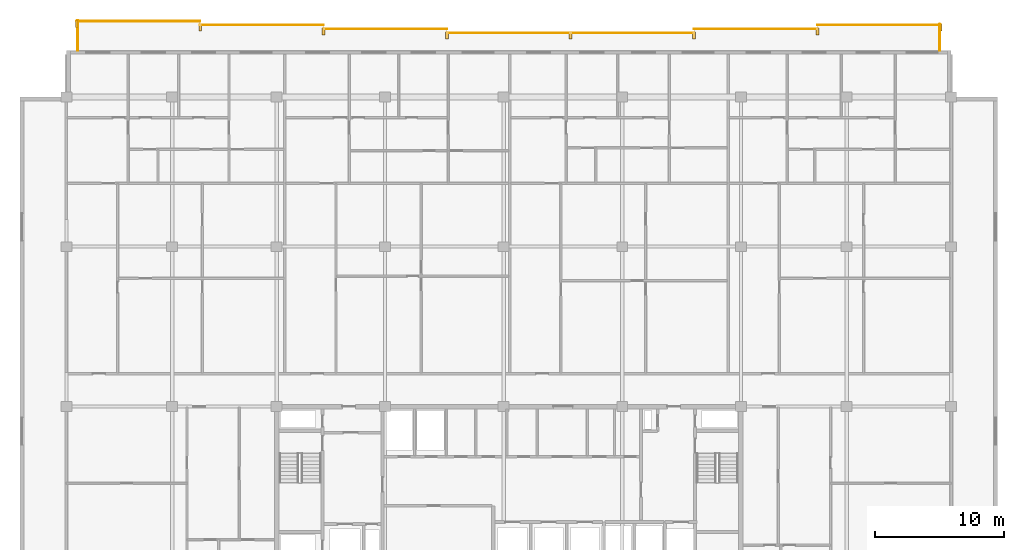
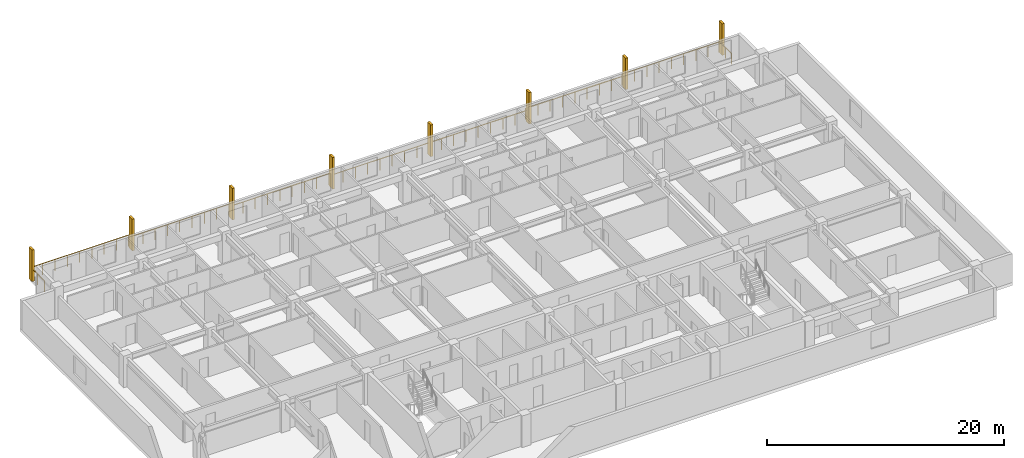
# One storey, part 23 of 23: 8 railings, 8 shading devices.
"""IFC4 building model written with IfcOpenShell, lengths in metres."""

from ifc_helpers import new_model, si_unit, direction, frame, origin, origin_2d, place, context, subcontext, project, spatial, rectangle, circle, extrude, material, type_object, element, save


model = new_model("IFC4")

# Units and contexts
model_context = context("Model", 3, precision=1e-05, world=origin(), true_north=direction((0.0, 1.0)))
body_context = subcontext(model_context, "Body", "Model", "MODEL_VIEW")
ifc_project = project(units=[si_unit("LENGTHUNIT", "METRE"), si_unit("AREAUNIT", "SQUARE_METRE"), si_unit("VOLUMEUNIT", "CUBIC_METRE"), si_unit("PLANEANGLEUNIT", "RADIAN"), si_unit("MASSUNIT", "GRAM", prefix="KILO")], contexts=[model_context])

# Site, building, storey
site_placement = place(None, origin())
site = spatial("IfcSite", under=ifc_project, at=site_placement, CompositionType="ELEMENT")
building_placement = place(site_placement, origin())
building = spatial("IfcBuilding", under=site, at=building_placement, Name="Korimba Cascade Residences", CompositionType="ELEMENT")
storey_placement = place(building_placement, frame((0.0, 0.0, 162.10009765625)))
storey = spatial("IfcBuildingStorey", under=building, at=storey_placement, Name="L46", CompositionType="ELEMENT", Elevation=162.10009765625)

# Railings
ifc_material_1 = material(Name="Laminated Glass and Bronze Balustrade", Category="glass")
railing_type = type_object("IfcRailingType", Name="RLG-LOG-1150", PredefinedType="BALUSTRADE", material=ifc_material_1)
railing_1_placement = place(storey_placement, frame((127.52001953125, 94.800048828125, 0.0)))
element("IfcRailing", 1, at=railing_1_placement, inside=storey, type_object=railing_type, Name="L46 Perimeter Guardrail RLG-L46-T1-LOG-01", PredefinedType="BALUSTRADE", context=body_context, shape_type="SweptSolid", body=[
    extrude(circle(Radius=0.02392578125, at=origin_2d()), frame((0.0, 0.0, 1.1259765625), z_axis=(0.0, 1.0, 0.0), x_axis=(-1.0, 0.0, 0.0)), (0.0, 0.0, 1.0), 2.050048828125),
    extrude(circle(Radius=0.02099609375, at=origin_2d()), origin(), (0.0, 0.0, 1.0), 1.101806640625),
    extrude(circle(Radius=0.02099609375, at=origin_2d()), frame((0.0, 1.02490234375, 0.0)), (0.0, 0.0, 1.0), 1.101806640625),
    extrude(circle(Radius=0.02099609375, at=origin_2d()), frame((0.0, 2.050048828125, 0.0)), (0.0, 0.0, 1.0), 1.101806640625),
])
for number, where, name in (
    (2, (127.60009765625, 96.77001953125, 0.0), "L46 Perimeter Guardrail RLG-L46-T1-LOG-02"),
    (3, (118.028564453125, 96.469970703125, 0.0), "L46 Perimeter Guardrail RLG-L46-T1-LOG-03"),
):
    element("IfcRailing", number, at=place(storey_placement, frame(where)), inside=storey, type_object=railing_type, Name=name, PredefinedType="BALUSTRADE", context=body_context, shape_type="SweptSolid", body=[
        extrude(circle(Radius=0.02392578125, at=origin_2d()), frame((0.0, 0.0, 1.1259765625), z_axis=(-1.0, 0.0, 0.0), x_axis=(0.0, -1.0, 0.0)), (0.0, 0.0, 1.0), 9.571533203125),
        extrude(circle(Radius=0.02099609375, at=origin_2d()), origin(), (0.0, 0.0, 1.0), 1.101806640625),
        extrude(circle(Radius=0.02099609375, at=origin_2d()), frame((-1.196533203125, 0.0, 0.0)), (0.0, 0.0, 1.0), 1.101806640625),
        extrude(circle(Radius=0.02099609375, at=origin_2d()), frame((-2.392822265625, 0.0, 0.0)), (0.0, 0.0, 1.0), 1.101806640625),
        extrude(circle(Radius=0.02099609375, at=origin_2d()), frame((-3.58935546875, 0.0, 0.0)), (0.0, 0.0, 1.0), 1.101806640625),
        extrude(circle(Radius=0.02099609375, at=origin_2d()), frame((-4.78564453125, 0.0, 0.0)), (0.0, 0.0, 1.0), 1.101806640625),
        extrude(circle(Radius=0.02099609375, at=origin_2d()), frame((-5.982177734375, 0.0, 0.0)), (0.0, 0.0, 1.0), 1.101806640625),
        extrude(circle(Radius=0.02099609375, at=origin_2d()), frame((-7.1787109375, 0.0, 0.0)), (0.0, 0.0, 1.0), 1.101806640625),
        extrude(circle(Radius=0.02099609375, at=origin_2d()), frame((-8.375, 0.0, 0.0)), (0.0, 0.0, 1.0), 1.101806640625),
        extrude(circle(Radius=0.02099609375, at=origin_2d()), frame((-9.571533203125, 0.0, 0.0)), (0.0, 0.0, 1.0), 1.101806640625),
    ])
railing_2_placement = place(storey_placement, frame((108.45703125, 96.169921875, 0.0)))
element("IfcRailing", 4, at=railing_2_placement, inside=storey, type_object=railing_type, Name="L46 Perimeter Guardrail RLG-L46-T1-LOG-04", PredefinedType="BALUSTRADE", context=body_context, shape_type="SweptSolid", body=[
    extrude(circle(Radius=0.02392578125, at=origin_2d()), frame((0.0, 0.0, 1.1259765625), z_axis=(-1.0, 0.0, 0.0), x_axis=(0.0, -1.0, 0.0)), (0.0, 0.0, 1.0), 19.142822265625),
    extrude(circle(Radius=0.02099609375, at=origin_2d()), origin(), (0.0, 0.0, 1.0), 1.101806640625),
    extrude(circle(Radius=0.02099609375, at=origin_2d()), frame((-1.196533203125, 0.0, 0.0)), (0.0, 0.0, 1.0), 1.101806640625),
    extrude(circle(Radius=0.02099609375, at=origin_2d()), frame((-2.392822265625, 0.0, 0.0)), (0.0, 0.0, 1.0), 1.101806640625),
    extrude(circle(Radius=0.02099609375, at=origin_2d()), frame((-3.58935546875, 0.0, 0.0)), (0.0, 0.0, 1.0), 1.101806640625),
    extrude(circle(Radius=0.02099609375, at=origin_2d()), frame((-4.78564453125, 0.0, 0.0)), (0.0, 0.0, 1.0), 1.101806640625),
    extrude(circle(Radius=0.02099609375, at=origin_2d()), frame((-5.982177734375, 0.0, 0.0)), (0.0, 0.0, 1.0), 1.101806640625),
    extrude(circle(Radius=0.02099609375, at=origin_2d()), frame((-7.178466796875, 0.0, 0.0)), (0.0, 0.0, 1.0), 1.101806640625),
    extrude(circle(Radius=0.02099609375, at=origin_2d()), frame((-8.375, 0.0, 0.0)), (0.0, 0.0, 1.0), 1.101806640625),
    extrude(circle(Radius=0.02099609375, at=origin_2d()), frame((-9.5712890625, 0.0, 0.0)), (0.0, 0.0, 1.0), 1.101806640625),
    extrude(circle(Radius=0.02099609375, at=origin_2d()), frame((-10.767822265625, 0.0, 0.0)), (0.0, 0.0, 1.0), 1.101806640625),
    extrude(circle(Radius=0.02099609375, at=origin_2d()), frame((-11.96435546875, 0.0, 0.0)), (0.0, 0.0, 1.0), 1.101806640625),
    extrude(circle(Radius=0.02099609375, at=origin_2d()), frame((-13.16064453125, 0.0, 0.0)), (0.0, 0.0, 1.0), 1.101806640625),
    extrude(circle(Radius=0.02099609375, at=origin_2d()), frame((-14.357177734375, 0.0, 0.0)), (0.0, 0.0, 1.0), 1.101806640625),
    extrude(circle(Radius=0.02099609375, at=origin_2d()), frame((-15.553466796875, 0.0, 0.0)), (0.0, 0.0, 1.0), 1.101806640625),
    extrude(circle(Radius=0.02099609375, at=origin_2d()), frame((-16.75, 0.0, 0.0)), (0.0, 0.0, 1.0), 1.101806640625),
    extrude(circle(Radius=0.02099609375, at=origin_2d()), frame((-17.9462890625, 0.0, 0.0)), (0.0, 0.0, 1.0), 1.101806640625),
    extrude(circle(Radius=0.02099609375, at=origin_2d()), frame((-19.142822265625, 0.0, 0.0)), (0.0, 0.0, 1.0), 1.101806640625),
])
railing_3_placement = place(storey_placement, frame((89.314208984375, 96.469970703125, 0.0)))
element("IfcRailing", 5, at=railing_3_placement, inside=storey, type_object=railing_type, Name="L46 Perimeter Guardrail RLG-L46-T1-LOG-05", PredefinedType="BALUSTRADE", context=body_context, shape_type="SweptSolid", body=[
    extrude(circle(Radius=0.02392578125, at=origin_2d()), frame((0.0, 0.0, 1.1259765625), z_axis=(-1.0, 0.0, 0.0), x_axis=(0.0, -1.0, 0.0)), (0.0, 0.0, 1.0), 9.5712890625),
    extrude(circle(Radius=0.02099609375, at=origin_2d()), origin(), (0.0, 0.0, 1.0), 1.101806640625),
    extrude(circle(Radius=0.02099609375, at=origin_2d()), frame((-1.1962890625, 0.0, 0.0)), (0.0, 0.0, 1.0), 1.101806640625),
    extrude(circle(Radius=0.02099609375, at=origin_2d()), frame((-2.392822265625, 0.0, 0.0)), (0.0, 0.0, 1.0), 1.101806640625),
    extrude(circle(Radius=0.02099609375, at=origin_2d()), frame((-3.58935546875, 0.0, 0.0)), (0.0, 0.0, 1.0), 1.101806640625),
    extrude(circle(Radius=0.02099609375, at=origin_2d()), frame((-4.78564453125, 0.0, 0.0)), (0.0, 0.0, 1.0), 1.101806640625),
    extrude(circle(Radius=0.02099609375, at=origin_2d()), frame((-5.98193359375, 0.0, 0.0)), (0.0, 0.0, 1.0), 1.101806640625),
    extrude(circle(Radius=0.02099609375, at=origin_2d()), frame((-7.178466796875, 0.0, 0.0)), (0.0, 0.0, 1.0), 1.101806640625),
    extrude(circle(Radius=0.02099609375, at=origin_2d()), frame((-8.375, 0.0, 0.0)), (0.0, 0.0, 1.0), 1.101806640625),
    extrude(circle(Radius=0.02099609375, at=origin_2d()), frame((-9.5712890625, 0.0, 0.0)), (0.0, 0.0, 1.0), 1.101806640625),
])
railing_4_placement = place(storey_placement, frame((79.742919921875, 96.77001953125, 0.0)))
element("IfcRailing", 6, at=railing_4_placement, inside=storey, type_object=railing_type, Name="L46 Perimeter Guardrail RLG-L46-T1-LOG-06", PredefinedType="BALUSTRADE", context=body_context, shape_type="SweptSolid", body=[
    extrude(circle(Radius=0.02392578125, at=origin_2d()), frame((0.0, 0.0, 1.1259765625), z_axis=(-1.0, 0.0, 0.0), x_axis=(0.0, -1.0, 0.0)), (0.0, 0.0, 1.0), 9.571533203125),
    extrude(circle(Radius=0.02099609375, at=origin_2d()), origin(), (0.0, 0.0, 1.0), 1.101806640625),
    extrude(circle(Radius=0.02099609375, at=origin_2d()), frame((-1.196533203125, 0.0, 0.0)), (0.0, 0.0, 1.0), 1.101806640625),
    extrude(circle(Radius=0.02099609375, at=origin_2d()), frame((-2.392822265625, 0.0, 0.0)), (0.0, 0.0, 1.0), 1.101806640625),
    extrude(circle(Radius=0.02099609375, at=origin_2d()), frame((-3.58935546875, 0.0, 0.0)), (0.0, 0.0, 1.0), 1.101806640625),
    extrude(circle(Radius=0.02099609375, at=origin_2d()), frame((-4.78564453125, 0.0, 0.0)), (0.0, 0.0, 1.0), 1.101806640625),
    extrude(circle(Radius=0.02099609375, at=origin_2d()), frame((-5.982177734375, 0.0, 0.0)), (0.0, 0.0, 1.0), 1.101806640625),
    extrude(circle(Radius=0.02099609375, at=origin_2d()), frame((-7.1787109375, 0.0, 0.0)), (0.0, 0.0, 1.0), 1.101806640625),
    extrude(circle(Radius=0.02099609375, at=origin_2d()), frame((-8.375, 0.0, 0.0)), (0.0, 0.0, 1.0), 1.101806640625),
    extrude(circle(Radius=0.02099609375, at=origin_2d()), frame((-9.571533203125, 0.0, 0.0)), (0.0, 0.0, 1.0), 1.101806640625),
])
railing_5_placement = place(storey_placement, frame((70.17138671875, 97.070068359375, 0.0)))
element("IfcRailing", 7, at=railing_5_placement, inside=storey, type_object=railing_type, Name="L46 Perimeter Guardrail RLG-L46-T1-LOG-07", PredefinedType="BALUSTRADE", context=body_context, shape_type="SweptSolid", body=[
    extrude(circle(Radius=0.02392578125, at=origin_2d()), frame((0.0, 0.0, 1.1259765625), z_axis=(-1.0, 0.0, 0.0), x_axis=(0.0, -1.0, 0.0)), (0.0, 0.0, 1.0), 9.5712890625),
    extrude(circle(Radius=0.02099609375, at=origin_2d()), origin(), (0.0, 0.0, 1.0), 1.101806640625),
    extrude(circle(Radius=0.02099609375, at=origin_2d()), frame((-1.1962890625, 0.0, 0.0)), (0.0, 0.0, 1.0), 1.101806640625),
    extrude(circle(Radius=0.02099609375, at=origin_2d()), frame((-2.392822265625, 0.0, 0.0)), (0.0, 0.0, 1.0), 1.101806640625),
    extrude(circle(Radius=0.02099609375, at=origin_2d()), frame((-3.58935546875, 0.0, 0.0)), (0.0, 0.0, 1.0), 1.101806640625),
    extrude(circle(Radius=0.02099609375, at=origin_2d()), frame((-4.78564453125, 0.0, 0.0)), (0.0, 0.0, 1.0), 1.101806640625),
    extrude(circle(Radius=0.02099609375, at=origin_2d()), frame((-5.98193359375, 0.0, 0.0)), (0.0, 0.0, 1.0), 1.101806640625),
    extrude(circle(Radius=0.02099609375, at=origin_2d()), frame((-7.178466796875, 0.0, 0.0)), (0.0, 0.0, 1.0), 1.101806640625),
    extrude(circle(Radius=0.02099609375, at=origin_2d()), frame((-8.375, 0.0, 0.0)), (0.0, 0.0, 1.0), 1.101806640625),
    extrude(circle(Radius=0.02099609375, at=origin_2d()), frame((-9.5712890625, 0.0, 0.0)), (0.0, 0.0, 1.0), 1.101806640625),
])
railing_6_placement = place(storey_placement, frame((60.679931640625, 97.14990234375, 0.0)))
element("IfcRailing", 8, at=railing_6_placement, inside=storey, type_object=railing_type, Name="L46 Perimeter Guardrail RLG-L46-T1-LOG-08", PredefinedType="BALUSTRADE", context=body_context, shape_type="SweptSolid", body=[
    extrude(circle(Radius=0.02392578125, at=origin_2d()), frame((0.0, 0.0, 1.1259765625), z_axis=(0.0, -1.0, 0.0), x_axis=(1.0, 0.0, 0.0)), (0.0, 0.0, 1.0), 2.349853515625),
    extrude(circle(Radius=0.02099609375, at=origin_2d()), origin(), (0.0, 0.0, 1.0), 1.101806640625),
    extrude(circle(Radius=0.02099609375, at=origin_2d()), frame((0.0, -1.1748046875, 0.0)), (0.0, 0.0, 1.0), 1.101806640625),
    extrude(circle(Radius=0.02099609375, at=origin_2d()), frame((0.0, -2.349853515625, 0.0)), (0.0, 0.0, 1.0), 1.101806640625),
])

# Shading devices
ifc_material_2 = material(Name="Honed Sandstone Precast Fin", Category="masonry")
shading_device_type = type_object("IfcShadingDeviceType", Name="SHD-FIN-550", PredefinedType="USERDEFINED", material=ifc_material_2)
for number, where, z_axis, x_axis, name in (
    (9, (60.60009765625, 96.875, 0.0), (0.0, 0.0, 1.0), (1.0, 0.0, 0.0), "L46 T1 Warm-Stone Loggia Fin 1"),
    (10, (70.17138671875, 96.574951171875, 0.0), (0.0, 0.0, 1.0), (1.0, 0.0, 0.0), "L46 T1 Warm-Stone Loggia Fin 2"),
    (11, (79.742919921875, 96.27490234375, 0.0), (0.0, 0.0, 1.0), (1.0, 0.0, 0.0), "L46 T1 Warm-Stone Loggia Fin 3"),
    (12, (89.314208984375, 95.97509765625, 0.0), (0.0, 0.0, 1.0), (1.0, 0.0, 0.0), "L46 T1 Warm-Stone Loggia Fin 4"),
    (13, (98.8857421875, 95.97509765625, 0.0), (0.0, 0.0, 1.0), (1.0, 0.0, 0.0), "L46 T1 Warm-Stone Loggia Fin 5"),
    (14, (108.45703125, 95.97509765625, 0.0), (0.0, 0.0, 1.0), (1.0, 0.0, 0.0), "L46 T1 Warm-Stone Loggia Fin 6"),
    (15, (118.028564453125, 96.27490234375, 0.0), (0.0, 0.0, 1.0), (1.0, 0.0, 0.0), "L46 T1 Warm-Stone Loggia Fin 7"),
    (16, (127.60009765625, 96.574951171875, 0.0), (0.0, 0.0, 1.0), (1.0, 0.0, 0.0), "L46 T1 Warm-Stone Loggia Fin 8"),
):
    element("IfcShadingDevice", number, at=place(storey_placement, frame(where, z_axis=z_axis, x_axis=x_axis)), inside=storey, type_object=shading_device_type, Name=name, ObjectType="FIN", PredefinedType="USERDEFINED", context=body_context, shape_type="SweptSolid", body=[
        extrude(rectangle(XDim=0.219970703125, YDim=0.550048828125, at=origin_2d()), origin(), (0.0, 0.0, 1.0), 3.25),
    ])

save(model, "model.ifc")
